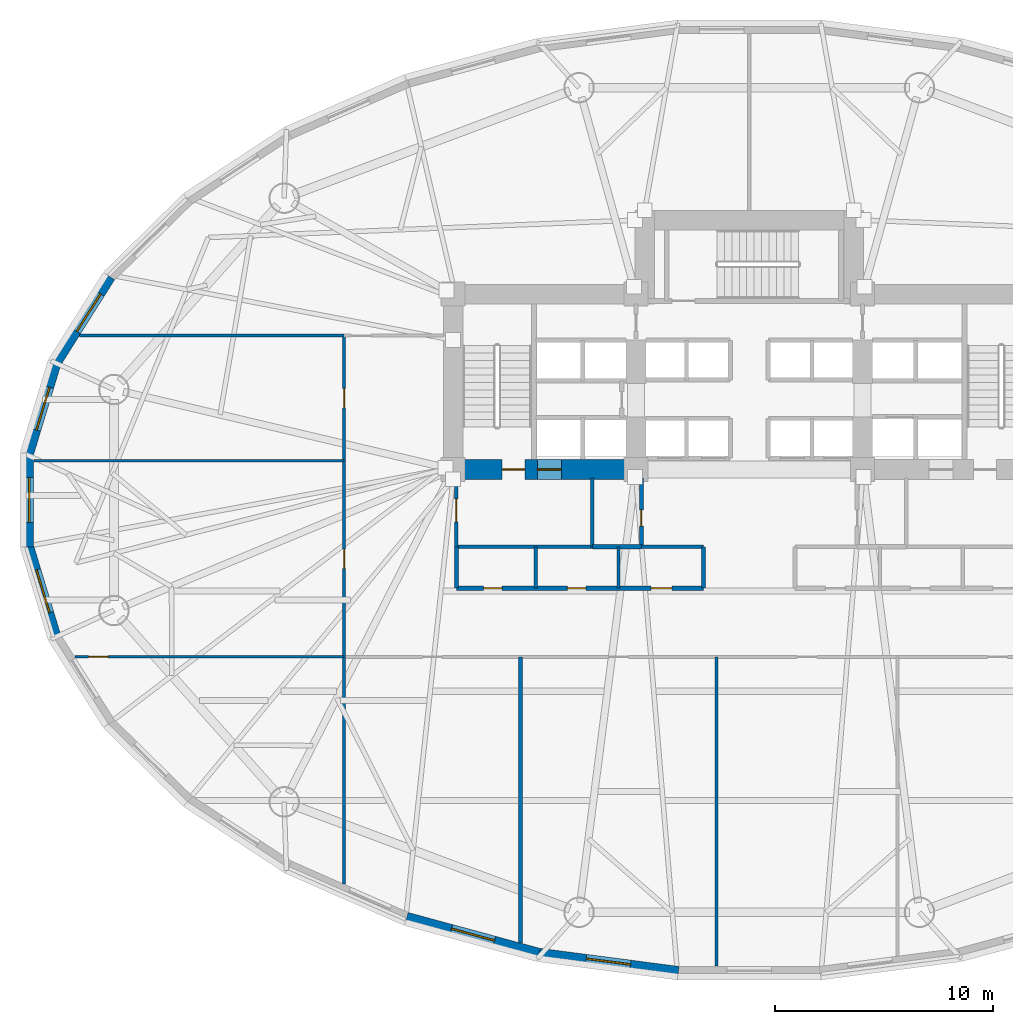
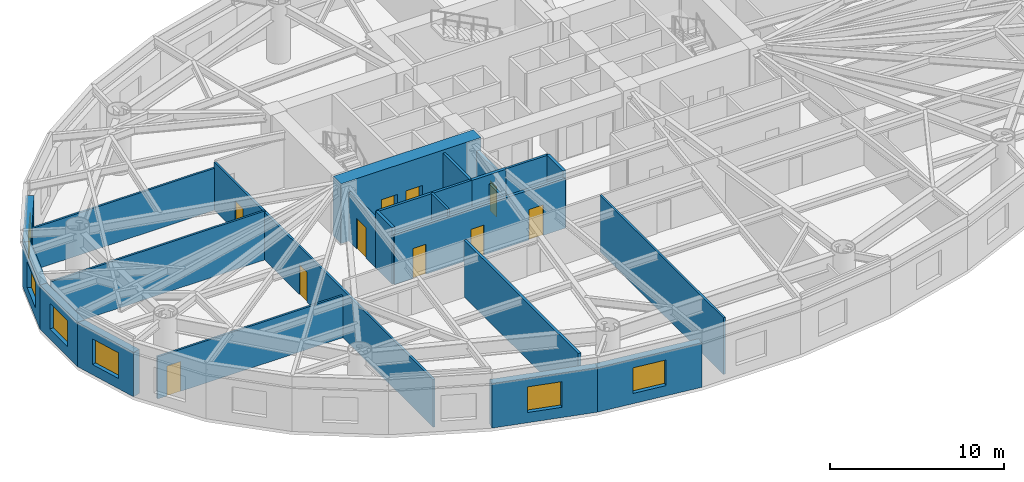
# One storey, part 5 of 14: 24 walls, 10 doors, 6 windows, 16 openings.
"""IFC4 building model written with IfcOpenShell, lengths in metres."""

from ifc_helpers import new_model, si_unit, direction, frame, frame_2d, origin, place, context, subcontext, project, spatial, rectangle, extrude, material, layer, layer_set, type_object, element, fill, save


model = new_model("IFC4")

# Units and contexts
model_context = context("Model", 3, precision=1e-05, world=origin(), true_north=direction((0.0, 1.0)))
body_context = subcontext(model_context, "Body", "Model", "MODEL_VIEW")
ifc_project = project(units=[si_unit("LENGTHUNIT", "METRE"), si_unit("AREAUNIT", "SQUARE_METRE"), si_unit("VOLUMEUNIT", "CUBIC_METRE"), si_unit("PLANEANGLEUNIT", "RADIAN"), si_unit("MASSUNIT", "GRAM", prefix="KILO")], contexts=[model_context])

# Site, building, storey
site_placement = place(None, origin())
site = spatial("IfcSite", under=ifc_project, at=site_placement, CompositionType="ELEMENT")
building_placement = place(site_placement, origin())
building = spatial("IfcBuilding", under=site, at=building_placement, Name="Keldmark Tower", CompositionType="ELEMENT")
storey_placement = place(building_placement, frame((0.0, 0.0, 18.60009765625)))
storey = spatial("IfcBuildingStorey", under=building, at=storey_placement, Name="L04", CompositionType="ELEMENT", Elevation=18.60009765625)

# Wall, openings, doors
ifc_material_1 = material(Name="Acoustic Double-Layer Gypsum Corridor Partition", Category="gypsum")
ifc_layer_1 = layer(ifc_material_1, 0.139892578125)
ifc_layer_set_1 = layer_set([ifc_layer_1], Name="Acoustic Double-Layer Gypsum Corridor Partition")
wall_type_1 = type_object("IfcWallType", Name="Acoustic Corridor Partition 140 mm", PredefinedType="PARTITIONING", material=ifc_layer_set_1)
wall_1_placement = place(storey_placement, frame((-18.60009765625, -17.63720703125, 0.0), z_axis=(0.0, 0.0, 1.0), x_axis=(0.0, 1.0, 0.0)))
wall_1 = element("IfcWall", 1, at=wall_1_placement, inside=storey, type_object=wall_type_1, Name="L04 Acoustic Corridor Partition 140 mm COR-W", PredefinedType="PARTITIONING", context=body_context, shape_type="SweptSolid", body=[
    extrude(rectangle(XDim=25.187255859375, YDim=0.139892578125, at=frame_2d((12.59375, 0.0))), origin(), (0.0, 0.0, 1.0), 3.347900390625),
])
opening_1_placement = place(wall_1_placement, frame((14.4873046875, 0.0, 0.0)))
opening_1 = element("IfcOpeningElement", 2, at=opening_1_placement, cuts=wall_1, Name="Opening D-IN090", PredefinedType="OPENING", context=body_context, shape_type="SweptSolid", body=[
    extrude(rectangle(XDim=0.89990234375, YDim=2.10009765625, at=frame_2d((0.449951171875, 1.050048828125))), frame((0.0, 0.079833984375, 0.0), z_axis=(0.0, -1.0, 0.0), x_axis=(1.0, 0.0, 0.0)), (0.0, 0.0, 1.0), 0.159912109375),
])
opening_2_placement = place(wall_1_placement, frame((21.8623046875, 0.0, 0.0)))
opening_2 = element("IfcOpeningElement", 3, at=opening_2_placement, cuts=wall_1, Name="Opening D-IN090", PredefinedType="OPENING", context=body_context, shape_type="SweptSolid", body=[
    extrude(rectangle(XDim=0.89990234375, YDim=2.10009765625, at=frame_2d((0.449951171875, 1.050048828125))), frame((0.0, 0.079833984375, 0.0), z_axis=(0.0, -1.0, 0.0), x_axis=(1.0, 0.0, 0.0)), (0.0, 0.0, 1.0), 0.159912109375),
])
ifc_material_2 = material(Name="Stained American White Oak Veneer", Category="wood")
door_type_1 = type_object("IfcDoorType", Name="Interior Door 900x2100", OperationType="NOTDEFINED", PredefinedType="DOOR", material=ifc_material_2)
door_1_placement = place(opening_1_placement, origin())
door_1 = element("IfcDoor", 4, at=door_1_placement, inside=storey, type_object=door_type_1, Name="L04 Interior Door 900x2100 D-WR-1-L04", OperationType="SINGLE_SWING_LEFT", OverallHeight=2.10009765625, OverallWidth=0.89990234375, PredefinedType="DOOR", context=body_context, shape_type="SweptSolid", body=[
    extrude(rectangle(XDim=0.89990234375, YDim=2.10009765625, at=frame_2d((0.449951171875, 1.050048828125))), frame((0.0, 0.02490234375, 0.0), z_axis=(0.0, -1.0, 0.0), x_axis=(1.0, 0.0, 0.0)), (0.0, 0.0, 1.0), 0.050048828125),
])
fill(opening_1, door_1)
door_2_placement = place(opening_2_placement, origin())
door_2 = element("IfcDoor", 5, at=door_2_placement, inside=storey, type_object=door_type_1, Name="L04 Interior Door 900x2100 D-WR-2-L04", OperationType="SINGLE_SWING_RIGHT", OverallHeight=2.10009765625, OverallWidth=0.89990234375, PredefinedType="DOOR", context=body_context, shape_type="SweptSolid", body=[
    extrude(rectangle(XDim=0.89990234375, YDim=2.10009765625, at=frame_2d((0.449951171875, 1.050048828125))), frame((0.0, 0.02490234375, 0.0), z_axis=(0.0, -1.0, 0.0), x_axis=(1.0, 0.0, 0.0)), (0.0, 0.0, 1.0), 0.050048828125),
])
fill(opening_2, door_2)

# Wall
ifc_material_3 = material(Name="STC-58 Insulated Tenant Demising Gypsum Partition", Category="gypsum")
ifc_layer_2 = layer(ifc_material_3, 0.175048828125)
ifc_layer_set_2 = layer_set([ifc_layer_2], Name="STC-58 Insulated Tenant Demising Gypsum Partition")
wall_type_2 = type_object("IfcWallType", Name="Demising Suite Partition 175 mm", PredefinedType="PARTITIONING", material=ifc_layer_set_2)
wall_2_placement = place(storey_placement, frame((-10.5, -20.3359375, 0.0), z_axis=(0.0, 0.0, 1.0), x_axis=(0.0, 1.0, 0.0)))
element("IfcWall", 6, at=wall_2_placement, inside=storey, type_object=wall_type_2, Name="L04 Demising Suite Partition 175 mm S-DIV-1", PredefinedType="PARTITIONING", context=body_context, shape_type="SweptSolid", body=[
    extrude(rectangle(XDim=13.135986328125, YDim=0.175048828125, at=frame_2d((6.56787109375, 0.0))), origin(), (0.0, 0.0, 1.0), 3.97998046875),
])

# Wall, openings, doors
ifc_material_4 = material(Name="Heavy Acoustic Plumbing Chase Gypsum Assembly", Category="gypsum")
ifc_layer_3 = layer(ifc_material_4, 0.18994140625)
ifc_layer_set_3 = layer_set([ifc_layer_3], Name="Heavy Acoustic Plumbing Chase Gypsum Assembly")
wall_type_3 = type_object("IfcWallType", Name="Heavy Wet Wall 190 mm", PredefinedType="PLUMBINGWALL", material=ifc_layer_set_3)
wall_3_placement = place(storey_placement, frame((-13.449951171875, -4.050048828125, 0.0), z_axis=(0.0, 0.0, 1.0), x_axis=(1.0, 0.0, 0.0)))
wall_3 = element("IfcWall", 7, at=wall_3_placement, inside=storey, type_object=wall_type_3, Name="L04 Heavy Wet Wall 190 mm SPK-W-S", PredefinedType="PLUMBINGWALL", context=body_context, shape_type="SweptSolid", body=[
    extrude(rectangle(XDim=11.349853515625, YDim=0.18994140625, at=frame_2d((5.6748046875, 0.0))), origin(), (0.0, 0.0, 1.0), 3.5068359375),
])
opening_3_placement = place(wall_3_placement, frame((1.25, 0.0, 0.0)))
opening_3 = element("IfcOpeningElement", 8, at=opening_3_placement, cuts=wall_3, Name="Opening D-WC085", PredefinedType="OPENING", context=body_context, shape_type="SweptSolid", body=[
    extrude(rectangle(XDim=0.85009765625, YDim=2.10009765625, at=frame_2d((0.425048828125, 1.050048828125))), frame((0.0, 0.10498046875, 0.0), z_axis=(0.0, -1.0, 0.0), x_axis=(1.0, 0.0, 0.0)), (0.0, 0.0, 1.0), 0.2099609375),
])
opening_4_placement = place(wall_3_placement, frame((5.10009765625, 0.0, 0.0)))
opening_4 = element("IfcOpeningElement", 9, at=opening_4_placement, cuts=wall_3, Name="Opening D-WC085", PredefinedType="OPENING", context=body_context, shape_type="SweptSolid", body=[
    extrude(rectangle(XDim=0.85009765625, YDim=2.10009765625, at=frame_2d((0.425048828125, 1.050048828125))), frame((0.0, 0.10498046875, 0.0), z_axis=(0.0, -1.0, 0.0), x_axis=(1.0, 0.0, 0.0)), (0.0, 0.0, 1.0), 0.2099609375),
])
opening_5_placement = place(wall_3_placement, frame((8.949951171875, 0.0, 0.0)))
opening_5 = element("IfcOpeningElement", 10, at=opening_5_placement, cuts=wall_3, Name="Opening D-AWC95", PredefinedType="OPENING", context=body_context, shape_type="SweptSolid", body=[
    extrude(rectangle(XDim=0.949951171875, YDim=2.14990234375, at=frame_2d((0.47509765625, 1.074951171875))), frame((0.0, 0.10498046875, 0.0), z_axis=(0.0, -1.0, 0.0), x_axis=(1.0, 0.0, 0.0)), (0.0, 0.0, 1.0), 0.2099609375),
])
ifc_material_5 = material(Name="Painted Solid-Core Architectural Wood", Category="wood")
door_type_2 = type_object("IfcDoorType", Name="Accessible WC Door 950x2150", OperationType="NOTDEFINED", PredefinedType="DOOR", material=ifc_material_5)
door_3_placement = place(opening_5_placement, origin())
door_3 = element("IfcDoor", 11, at=door_3_placement, inside=storey, type_object=door_type_2, Name="L04 Accessible WC Door 950x2150 D-SPKW3-L04", OperationType="SINGLE_SWING_LEFT", OverallHeight=2.14990234375, OverallWidth=0.949951171875, PredefinedType="DOOR", context=body_context, shape_type="SweptSolid", body=[
    extrude(rectangle(XDim=0.949951171875, YDim=2.14990234375, at=frame_2d((0.47509765625, 1.074951171875))), frame((0.0, 0.02490234375, 0.0), z_axis=(0.0, -1.0, 0.0), x_axis=(1.0, 0.0, 0.0)), (0.0, 0.0, 1.0), 0.050048828125),
])
fill(opening_5, door_3)
ifc_material_6 = material(Name="Moisture-Sealed Painted Wood", Category="wood")
door_type_3 = type_object("IfcDoorType", Name="WC Door 850x2100", OperationType="NOTDEFINED", PredefinedType="DOOR", material=ifc_material_6)
door_4_placement = place(opening_3_placement, origin())
door_4 = element("IfcDoor", 12, at=door_4_placement, inside=storey, type_object=door_type_3, Name="L04 WC Door 850x2100 D-SPKW1-L04", OperationType="SINGLE_SWING_LEFT", OverallHeight=2.10009765625, OverallWidth=0.85009765625, PredefinedType="DOOR", context=body_context, shape_type="SweptSolid", body=[
    extrude(rectangle(XDim=0.85009765625, YDim=2.10009765625, at=frame_2d((0.425048828125, 1.050048828125))), frame((0.0, 0.02490234375, 0.0), z_axis=(0.0, -1.0, 0.0), x_axis=(1.0, 0.0, 0.0)), (0.0, 0.0, 1.0), 0.050048828125),
])
fill(opening_3, door_4)
door_5_placement = place(opening_4_placement, origin())
door_5 = element("IfcDoor", 13, at=door_5_placement, inside=storey, type_object=door_type_3, Name="L04 WC Door 850x2100 D-SPKW2-L04", OperationType="SINGLE_SWING_RIGHT", OverallHeight=2.10009765625, OverallWidth=0.85009765625, PredefinedType="DOOR", context=body_context, shape_type="SweptSolid", body=[
    extrude(rectangle(XDim=0.85009765625, YDim=2.10009765625, at=frame_2d((0.425048828125, 1.050048828125))), frame((0.0, 0.02490234375, 0.0), z_axis=(0.0, -1.0, 0.0), x_axis=(1.0, 0.0, 0.0)), (0.0, 0.0, 1.0), 0.050048828125),
])
fill(opening_4, door_5)

# Walls
for number, where, z_axis, x_axis, name in (
    (14, (-13.449951171875, -4.050048828125, 0.0), (0.0, 0.0, 1.0), (0.0, 1.0, 0.0), "L04 Heavy Wet Wall 190 mm SPK-W-W"),
    (15, (-2.10009765625, -4.050048828125, 0.0), (0.0, 0.0, 1.0), (0.0, 1.0, 0.0), "L04 Heavy Wet Wall 190 mm SPK-W-E"),
):
    element("IfcWall", number, at=place(storey_placement, frame(where, z_axis=z_axis, x_axis=x_axis)), inside=storey, type_object=wall_type_3, Name=name, PredefinedType="PLUMBINGWALL", context=body_context, shape_type="SweptSolid", body=[
        extrude(rectangle(XDim=1.900146484375, YDim=0.18994140625, at=frame_2d((0.9501953125, 0.0))), origin(), (0.0, 0.0, 1.0), 3.97998046875),
    ])
ifc_material_7 = material(Name="Acoustic Gypsum Board Interior Partition", Category="gypsum")
ifc_layer_4 = layer(ifc_material_7, 0.1298828125)
ifc_layer_set_4 = layer_set([ifc_layer_4], Name="Acoustic Gypsum Board Interior Partition")
wall_type_4 = type_object("IfcWallType", Name="Interior Partition 130 mm", PredefinedType="PARTITIONING", material=ifc_layer_set_4)
wall_4_placement = place(storey_placement, frame((-1.5, -21.406005859375, 0.0), z_axis=(0.0, 0.0, 1.0), x_axis=(0.0, 1.0, 0.0)))
element("IfcWall", 16, at=wall_4_placement, inside=storey, type_object=wall_type_4, Name="L04 Interior Partition 130 mm S-DIV-2", PredefinedType="PARTITIONING", context=body_context, shape_type="SweptSolid", body=[
    extrude(rectangle(XDim=14.2060546875, YDim=0.1298828125, at=frame_2d((7.10302734375, 0.0))), origin(), (0.0, 0.0, 1.0), 3.97998046875),
])
wall_5_placement = place(storey_placement, frame((-30.74658203125, 7.550048828125, 0.0), z_axis=(0.0, 0.0, 1.0), x_axis=(1.0, 0.0, 0.0)))
element("IfcWall", 17, at=wall_5_placement, inside=storey, type_object=wall_type_4, Name="L04 Interior Partition 130 mm W-CAP-N", PredefinedType="PARTITIONING", context=body_context, shape_type="SweptSolid", body=[
    extrude(rectangle(XDim=12.146484375, YDim=0.1298828125, at=frame_2d((6.0732421875, 0.0))), origin(), (0.0, 0.0, 1.0), 2.9580078125),
])

# Wall, opening, door
wall_6_placement = place(storey_placement, frame((-30.96728515625, -7.199951171875, 0.0), z_axis=(0.0, 0.0, 1.0), x_axis=(1.0, 0.0, 0.0)))
wall_6 = element("IfcWall", 18, at=wall_6_placement, inside=storey, type_object=wall_type_4, Name="L04 Interior Partition 130 mm W-CAP-S", PredefinedType="PARTITIONING", context=body_context, shape_type="SweptSolid", body=[
    extrude(rectangle(XDim=12.3671875, YDim=0.1298828125, at=frame_2d((6.18359375, 0.0))), origin(), (0.0, 0.0, 1.0), 2.9580078125),
])
opening_6_placement = place(wall_6_placement, frame((0.6298828125, 0.0, 0.0)))
opening_6 = element("IfcOpeningElement", 19, at=opening_6_placement, cuts=wall_6, Name="Opening D-IN090", PredefinedType="OPENING", context=body_context, shape_type="SweptSolid", body=[
    extrude(rectangle(XDim=0.89990234375, YDim=2.10009765625, at=frame_2d((0.449951171875, 1.050048828125))), frame((0.0, 0.074951171875, 0.0), z_axis=(0.0, -1.0, 0.0), x_axis=(1.0, 0.0, 0.0)), (0.0, 0.0, 1.0), 0.14990234375),
])
door_6_placement = place(opening_6_placement, origin())
door_6 = element("IfcDoor", 20, at=door_6_placement, inside=storey, type_object=door_type_1, Name="L04 Interior Door 900x2100 D-WRSW-L04", OperationType="SINGLE_SWING_LEFT", OverallHeight=2.10009765625, OverallWidth=0.89990234375, PredefinedType="DOOR", context=body_context, shape_type="SweptSolid", body=[
    extrude(rectangle(XDim=0.89990234375, YDim=2.10009765625, at=frame_2d((0.449951171875, 1.050048828125))), frame((0.0, 0.02490234375, 0.0), z_axis=(0.0, -1.0, 0.0), x_axis=(1.0, 0.0, 0.0)), (0.0, 0.0, 1.0), 0.050048828125),
])
fill(opening_6, door_6)

# Wall
wall_7_placement = place(storey_placement, frame((-32.8505859375, 1.800048828125, 0.0), z_axis=(0.0, 0.0, 1.0), x_axis=(1.0, 0.0, 0.0)))
element("IfcWall", 21, at=wall_7_placement, inside=storey, type_object=wall_type_4, Name="L04 Interior Partition 130 mm W-DIV-1", PredefinedType="PARTITIONING", context=body_context, shape_type="SweptSolid", body=[
    extrude(rectangle(XDim=14.25048828125, YDim=0.1298828125, at=frame_2d((7.125244140625, 0.0))), origin(), (0.0, 0.0, 1.0), 3.432861328125),
])

# Wall, openings, doors
ifc_material_8 = material(Name="Concrete C70/85", Category="concrete")
ifc_layer_5 = layer(ifc_material_8, 0.89990234375)
ifc_layer_set_5 = layer_set([ifc_layer_5], Name="Concrete C70/85")
wall_type_5 = type_object("IfcWallType", Name="Lower Core Shear Wall 900 mm", PredefinedType="SHEAR", material=ifc_layer_set_5)
wall_8_placement = place(storey_placement, frame((-4.75, 1.39990234375, 0.0), z_axis=(0.0, 0.0, 1.0), x_axis=(-1.0, 0.0, 0.0)))
wall_8 = element("IfcWall", 22, at=wall_8_placement, inside=storey, type_object=wall_type_5, Name="L04 West Core South Shear Wall", PredefinedType="SHEAR", context=body_context, shape_type="SweptSolid", body=[
    extrude(rectangle(XDim=9.300048828125, YDim=0.89990234375, at=frame_2d((4.64990234375, 0.0))), origin(), (0.0, 0.0, 1.0), 4.199951171875),
])
opening_7_placement = place(wall_8_placement, frame((5.550048828125, 0.0, 0.0)))
opening_7 = element("IfcOpeningElement", 23, at=opening_7_placement, cuts=wall_8, Name="Opening D-ST105", PredefinedType="OPENING", context=body_context, shape_type="SweptSolid", body=[
    extrude(rectangle(XDim=1.050048828125, YDim=2.14990234375, at=frame_2d((0.52490234375, 1.074951171875))), frame((0.0, 0.4599609375, 0.0), z_axis=(0.0, -1.0, 0.0), x_axis=(1.0, 0.0, 0.0)), (0.0, 0.0, 1.0), 0.919921875),
])
opening_8_placement = place(wall_8_placement, frame((3.8798828125, 0.0, 0.0)))
opening_8 = element("IfcOpeningElement", 24, at=opening_8_placement, cuts=wall_8, Name="Opening LD-110", PredefinedType="OPENING", context=body_context, shape_type="SweptSolid", body=[
    extrude(rectangle(XDim=1.10009765625, YDim=2.199951171875, at=frame_2d((0.550048828125, 1.10009765625))), frame((0.0, 0.4599609375, 0.0), z_axis=(0.0, -1.0, 0.0), x_axis=(1.0, 0.0, 0.0)), (0.0, 0.0, 1.0), 0.919921875),
])
ifc_material_9 = material(Name="Brushed Bronze Hoistway Sliding Leaf", Category="metal")
door_type_4 = type_object("IfcDoorType", Name="Lift Landing Sliding Door 1100x2200", OperationType="SLIDING_TO_LEFT", PredefinedType="DOOR", material=ifc_material_9)
door_7_placement = place(opening_8_placement, origin())
door_7 = element("IfcDoor", 25, at=door_7_placement, inside=storey, type_object=door_type_4, Name="L04 Lift Landing Sliding Door 1100x2200 LD-EL-FS1-L04", OperationType="SLIDING_TO_LEFT", OverallHeight=2.199951171875, OverallWidth=1.10009765625, PredefinedType="DOOR", context=body_context, shape_type="SweptSolid", body=[
    extrude(rectangle(XDim=1.10009765625, YDim=2.199951171875, at=frame_2d((0.550048828125, 1.10009765625))), frame((0.0, 0.02490234375, 0.0), z_axis=(0.0, -1.0, 0.0), x_axis=(1.0, 0.0, 0.0)), (0.0, 0.0, 1.0), 0.050048828125),
])
fill(opening_8, door_7)
ifc_material_10 = material(Name="Hollow Metal Fire-Rated Door Assembly", Category="metal")
door_type_5 = type_object("IfcDoorType", Name="Stair Fire Door 1050x2150", OperationType="NOTDEFINED", PredefinedType="DOOR", material=ifc_material_10)
door_8_placement = place(opening_7_placement, origin())
door_8 = element("IfcDoor", 26, at=door_8_placement, inside=storey, type_object=door_type_5, Name="L04 Stair Fire Door 1050x2150 D-ST1-L04", OperationType="SINGLE_SWING_RIGHT", OverallHeight=2.14990234375, OverallWidth=1.050048828125, PredefinedType="DOOR", context=body_context, shape_type="SweptSolid", body=[
    extrude(rectangle(XDim=1.050048828125, YDim=2.14990234375, at=frame_2d((0.52490234375, 1.074951171875))), frame((0.0, 0.02490234375, 0.0), z_axis=(0.0, -1.0, 0.0), x_axis=(1.0, 0.0, 0.0)), (0.0, 0.0, 1.0), 0.050048828125),
])
fill(opening_7, door_8)

# Wall, opening, window
ifc_material_11 = material(Name="Ironspot Manganese Brick and Kasota Buff Limestone Cavity Assembly", Category="masonry")
ifc_layer_6 = layer(ifc_material_11, 0.47998046875)
ifc_layer_set_6 = layer_set([ifc_layer_6], Name="Ironspot Manganese Brick and Kasota Buff Limestone Cavity Assembly")
wall_type_6 = type_object("IfcWallType", Name="Podium Brick and Limestone Cavity Wall 480 mm", PredefinedType="STANDARD", material=ifc_layer_set_6)
wall_9_placement = place(storey_placement, frame((-31.8544921875, 6.25830078125, 0.0), z_axis=(0.0, 0.0, 1.0), x_axis=(0.53349762721, 0.845801561693, 0.0)))
wall_9 = element("IfcWall", 27, at=wall_9_placement, inside=storey, type_object=wall_type_6, Name="L04 Exterior Brick and Spandrel Wall 14", PredefinedType="STANDARD", context=body_context, shape_type="SweptSolid", body=[
    extrude(rectangle(XDim=4.710693359375, YDim=0.47998046875, at=frame_2d((2.35546875, 0.0))), origin(), (0.0, 0.0, 1.0), 3.10888671875),
])
opening_9_placement = place(wall_9_placement, frame((1.772705078125, 0.0, 0.719970703125)))
opening_9 = element("IfcOpeningElement", 28, at=opening_9_placement, cuts=wall_9, Name="Opening W-07", PredefinedType="OPENING", context=body_context, shape_type="SweptSolid", body=[
    extrude(rectangle(XDim=2.050048828125, YDim=1.800048828125, at=frame_2d((1.02490234375, 0.89990234375))), frame((0.0, 0.25, 0.0), z_axis=(0.0, -1.0, 0.0), x_axis=(1.0, 0.0, 0.0)), (0.0, 0.0, 1.0), 0.5),
])
ifc_material_12 = material(Name="Thermally Broken Anodized Aluminum and Triple Low-E Argon Glazing", Category="aluminium")
window_type = type_object("IfcWindowType", Name="Podium Mezzanine Punched Window 2050x1800", PartitioningType="DOUBLE_PANEL_VERTICAL", PredefinedType="WINDOW", material=ifc_material_12)
window_1_placement = place(opening_9_placement, origin())
window_1 = element("IfcWindow", 29, at=window_1_placement, inside=storey, type_object=window_type, Name="L04 Deep-Set Window 14", OverallHeight=1.800048828125, OverallWidth=2.050048828125, PartitioningType="SINGLE_PANEL", PredefinedType="WINDOW", context=body_context, shape_type="SweptSolid", body=[
    extrude(rectangle(XDim=2.050048828125, YDim=1.800048828125, at=frame_2d((1.02490234375, 0.89990234375))), frame((0.0, -0.010009765625, 0.0), z_axis=(0.0, -1.0, 0.0), x_axis=(1.0, 0.0, 0.0)), (0.0, 0.0, 1.0), 0.06005859375),
])
fill(opening_9, window_1)

wall_10_placement = place(storey_placement, frame((-33.10888671875, 2.0869140625, 0.0), z_axis=(0.0, 0.0, 1.0), x_axis=(0.289855603468, 0.957070388811, 0.0)))
wall_10 = element("IfcWall", 30, at=wall_10_placement, inside=storey, type_object=wall_type_6, Name="L04 Exterior Brick and Spandrel Wall 15", PredefinedType="STANDARD", context=body_context, shape_type="SweptSolid", body=[
    extrude(rectangle(XDim=4.41943359375, YDim=0.47998046875, at=frame_2d((2.209716796875, 0.0))), origin(), (0.0, 0.0, 1.0), 3.10888671875),
])
opening_10_placement = place(wall_10_placement, frame((1.184814453125, 0.0, 0.719970703125)))
opening_10 = element("IfcOpeningElement", 31, at=opening_10_placement, cuts=wall_10, Name="Opening W-07", PredefinedType="OPENING", context=body_context, shape_type="SweptSolid", body=[
    extrude(rectangle(XDim=2.050048828125, YDim=1.800048828125, at=frame_2d((1.02490234375, 0.89990234375))), frame((0.0, 0.25, 0.0), z_axis=(0.0, -1.0, 0.0), x_axis=(1.0, 0.0, 0.0)), (0.0, 0.0, 1.0), 0.5),
])
window_2_placement = place(opening_10_placement, origin())
window_2 = element("IfcWindow", 32, at=window_2_placement, inside=storey, type_object=window_type, Name="L04 Deep-Set Window 15", OverallHeight=1.800048828125, OverallWidth=2.050048828125, PartitioningType="SINGLE_PANEL", PredefinedType="WINDOW", context=body_context, shape_type="SweptSolid", body=[
    extrude(rectangle(XDim=2.050048828125, YDim=1.800048828125, at=frame_2d((1.02490234375, 0.89990234375))), frame((0.0, -0.010009765625, 0.0), z_axis=(0.0, -1.0, 0.0), x_axis=(1.0, 0.0, 0.0)), (0.0, 0.0, 1.0), 0.06005859375),
])
fill(opening_10, window_2)

wall_11_placement = place(storey_placement, frame((-33.0986328125, -2.156494140625, 0.0), z_axis=(0.0, 0.0, 1.0), x_axis=(0.0, 1.0, 0.0)))
wall_11 = element("IfcWall", 33, at=wall_11_placement, inside=storey, type_object=wall_type_6, Name="L04 Exterior Brick and Spandrel Wall 16", PredefinedType="STANDARD", context=body_context, shape_type="SweptSolid", body=[
    extrude(rectangle(XDim=4.31298828125, YDim=0.47998046875, at=frame_2d((2.156494140625, 0.0))), origin(), (0.0, 0.0, 1.0), 3.10888671875),
])
opening_11_placement = place(wall_11_placement, frame((1.13134765625, 0.0, 0.719970703125)))
opening_11 = element("IfcOpeningElement", 34, at=opening_11_placement, cuts=wall_11, Name="Opening W-07", PredefinedType="OPENING", context=body_context, shape_type="SweptSolid", body=[
    extrude(rectangle(XDim=2.050048828125, YDim=1.800048828125, at=frame_2d((1.02490234375, 0.89990234375))), frame((0.0, 0.25, 0.0), z_axis=(0.0, -1.0, 0.0), x_axis=(1.0, 0.0, 0.0)), (0.0, 0.0, 1.0), 0.5),
])
window_3_placement = place(opening_11_placement, origin())
window_3 = element("IfcWindow", 35, at=window_3_placement, inside=storey, type_object=window_type, Name="L04 Deep-Set Window 16", OverallHeight=1.800048828125, OverallWidth=2.050048828125, PartitioningType="SINGLE_PANEL", PredefinedType="WINDOW", context=body_context, shape_type="SweptSolid", body=[
    extrude(rectangle(XDim=2.050048828125, YDim=1.800048828125, at=frame_2d((1.02490234375, 0.89990234375))), frame((0.0, -0.010009765625, 0.0), z_axis=(0.0, -1.0, 0.0), x_axis=(1.0, 0.0, 0.0)), (0.0, 0.0, 1.0), 0.06005859375),
])
fill(opening_11, window_3)

wall_12_placement = place(storey_placement, frame((-31.827880859375, -6.316650390625, 0.0), z_axis=(0.0, 0.0, 1.0), x_axis=(-0.289855603468, 0.957070388811, 0.0)))
wall_12 = element("IfcWall", 36, at=wall_12_placement, inside=storey, type_object=wall_type_6, Name="L04 Exterior Brick and Spandrel Wall 17", PredefinedType="STANDARD", context=body_context, shape_type="SweptSolid", body=[
    extrude(rectangle(XDim=4.41943359375, YDim=0.47998046875, at=frame_2d((2.209716796875, 0.0))), origin(), (0.0, 0.0, 1.0), 3.10888671875),
])
opening_12_placement = place(wall_12_placement, frame((1.184814453125, 0.0, 0.719970703125)))
opening_12 = element("IfcOpeningElement", 37, at=opening_12_placement, cuts=wall_12, Name="Opening W-07", PredefinedType="OPENING", context=body_context, shape_type="SweptSolid", body=[
    extrude(rectangle(XDim=2.050048828125, YDim=1.800048828125, at=frame_2d((1.02490234375, 0.89990234375))), frame((0.0, 0.25, 0.0), z_axis=(0.0, -1.0, 0.0), x_axis=(1.0, 0.0, 0.0)), (0.0, 0.0, 1.0), 0.5),
])
window_4_placement = place(opening_12_placement, origin())
window_4 = element("IfcWindow", 38, at=window_4_placement, inside=storey, type_object=window_type, Name="L04 Deep-Set Window 17", OverallHeight=1.800048828125, OverallWidth=2.050048828125, PartitioningType="SINGLE_PANEL", PredefinedType="WINDOW", context=body_context, shape_type="SweptSolid", body=[
    extrude(rectangle(XDim=2.050048828125, YDim=1.800048828125, at=frame_2d((1.02490234375, 0.89990234375))), frame((0.0, -0.010009765625, 0.0), z_axis=(0.0, -1.0, 0.0), x_axis=(1.0, 0.0, 0.0)), (0.0, 0.0, 1.0), 0.06005859375),
])
fill(opening_12, window_4)

wall_13_placement = place(storey_placement, frame((-9.66162109375, -20.821044921875, 0.0), z_axis=(0.0, 0.0, 1.0), x_axis=(-0.964936550718, 0.262483243445, 0.0)))
wall_13 = element("IfcWall", 39, at=wall_13_placement, inside=storey, type_object=wall_type_6, Name="L04 Exterior Brick and Spandrel Wall 22", PredefinedType="STANDARD", context=body_context, shape_type="SweptSolid", body=[
    extrude(rectangle(XDim=6.28759765625, YDim=0.47998046875, at=frame_2d((3.143798828125, 0.0))), origin(), (0.0, 0.0, 1.0), 3.10888671875),
])
opening_13_placement = place(wall_13_placement, frame((2.118896484375, 0.0, 0.719970703125)))
opening_13 = element("IfcOpeningElement", 40, at=opening_13_placement, cuts=wall_13, Name="Opening W-07", PredefinedType="OPENING", context=body_context, shape_type="SweptSolid", body=[
    extrude(rectangle(XDim=2.050048828125, YDim=1.800048828125, at=frame_2d((1.02490234375, 0.89990234375))), frame((0.0, 0.25, 0.0), z_axis=(0.0, -1.0, 0.0), x_axis=(1.0, 0.0, 0.0)), (0.0, 0.0, 1.0), 0.5),
])
window_5_placement = place(opening_13_placement, origin())
window_5 = element("IfcWindow", 41, at=window_5_placement, inside=storey, type_object=window_type, Name="L04 Deep-Set Window 22", OverallHeight=1.800048828125, OverallWidth=2.050048828125, PartitioningType="SINGLE_PANEL", PredefinedType="WINDOW", context=body_context, shape_type="SweptSolid", body=[
    extrude(rectangle(XDim=2.050048828125, YDim=1.800048828125, at=frame_2d((1.02490234375, 0.89990234375))), frame((0.0, -0.010009765625, 0.0), z_axis=(0.0, -1.0, 0.0), x_axis=(1.0, 0.0, 0.0)), (0.0, 0.0, 1.0), 0.06005859375),
])
fill(opening_13, window_5)

wall_14_placement = place(storey_placement, frame((-3.25244140625, -21.656005859375, 0.0), z_axis=(0.0, 0.0, 1.0), x_axis=(-0.991576921472, 0.129519144545, 0.0)))
wall_14 = element("IfcWall", 42, at=wall_14_placement, inside=storey, type_object=wall_type_6, Name="L04 Exterior Brick and Spandrel Wall 23", PredefinedType="STANDARD", context=body_context, shape_type="SweptSolid", body=[
    extrude(rectangle(XDim=6.49560546875, YDim=0.47998046875, at=frame_2d((3.247802734375, 0.0))), origin(), (0.0, 0.0, 1.0), 3.10888671875),
])
opening_14_placement = place(wall_14_placement, frame((2.222900390625, 0.0, 0.719970703125)))
opening_14 = element("IfcOpeningElement", 43, at=opening_14_placement, cuts=wall_14, Name="Opening W-07", PredefinedType="OPENING", context=body_context, shape_type="SweptSolid", body=[
    extrude(rectangle(XDim=2.050048828125, YDim=1.800048828125, at=frame_2d((1.02490234375, 0.89990234375))), frame((0.0, 0.25, 0.0), z_axis=(0.0, -1.0, 0.0), x_axis=(1.0, 0.0, 0.0)), (0.0, 0.0, 1.0), 0.5),
])
window_6_placement = place(opening_14_placement, origin())
window_6 = element("IfcWindow", 44, at=window_6_placement, inside=storey, type_object=window_type, Name="L04 Deep-Set Window 23", OverallHeight=1.800048828125, OverallWidth=2.050048828125, PartitioningType="SINGLE_PANEL", PredefinedType="WINDOW", context=body_context, shape_type="SweptSolid", body=[
    extrude(rectangle(XDim=2.050048828125, YDim=1.800048828125, at=frame_2d((1.02490234375, 0.89990234375))), frame((0.0, -0.010009765625, 0.0), z_axis=(0.0, -1.0, 0.0), x_axis=(1.0, 0.0, 0.0)), (0.0, 0.0, 1.0), 0.06005859375),
])
fill(opening_14, window_6)

# Wall
ifc_material_13 = material(Name="Type X Fire-Rated Gypsum Partition Assembly", Category="gypsum")
ifc_layer_7 = layer(ifc_material_13, 0.1650390625)
ifc_layer_set_7 = layer_set([ifc_layer_7], Name="Type X Fire-Rated Gypsum Partition Assembly")
wall_type_7 = type_object("IfcWallType", Name="Rated Partition 165 mm", PredefinedType="PARTITIONING", material=ifc_layer_set_7)
wall_15_placement = place(storey_placement, frame((-13.449951171875, -2.14990234375, 0.0), z_axis=(0.0, 0.0, 1.0), x_axis=(1.0, 0.0, 0.0)))
element("IfcWall", 45, at=wall_15_placement, inside=storey, type_object=wall_type_7, Name="L04 Rated Partition 165 mm FSAE-W-S", PredefinedType="PARTITIONING", context=body_context, shape_type="SweptSolid", body=[
    extrude(rectangle(XDim=6.25, YDim=0.1650390625, at=frame_2d((3.125, 0.0))), origin(), (0.0, 0.0, 1.0), 3.97998046875),
])

# Wall, opening, door
wall_16_placement = place(storey_placement, frame((-13.449951171875, -2.14990234375, 0.0), z_axis=(0.0, 0.0, 1.0), x_axis=(0.0, 1.0, 0.0)))
wall_16 = element("IfcWall", 46, at=wall_16_placement, inside=storey, type_object=wall_type_7, Name="L04 Rated Partition 165 mm FSAE-W-W", PredefinedType="PARTITIONING", context=body_context, shape_type="SweptSolid", body=[
    extrude(rectangle(XDim=3.14990234375, YDim=0.1650390625, at=frame_2d((1.574951171875, 0.0))), origin(), (0.0, 0.0, 1.0), 3.432861328125),
])
opening_15_placement = place(wall_16_placement, frame((1.14990234375, 0.0, 0.0)))
opening_15 = element("IfcOpeningElement", 47, at=opening_15_placement, cuts=wall_16, Name="Opening D-FL105", PredefinedType="OPENING", context=body_context, shape_type="SweptSolid", body=[
    extrude(rectangle(XDim=1.050048828125, YDim=2.14990234375, at=frame_2d((0.52490234375, 1.074951171875))), frame((0.0, 0.092529296875, 0.0), z_axis=(0.0, -1.0, 0.0), x_axis=(1.0, 0.0, 0.0)), (0.0, 0.0, 1.0), 0.18505859375),
])
ifc_material_14 = material(Name="Fire-Rated Mineral-Core Door and Vision Lite", Category="metal")
door_type_6 = type_object("IfcDoorType", Name="Fire Lobby Door 1050x2150", OperationType="NOTDEFINED", PredefinedType="DOOR", material=ifc_material_14)
door_9_placement = place(opening_15_placement, origin())
door_9 = element("IfcDoor", 48, at=door_9_placement, inside=storey, type_object=door_type_6, Name="L04 Fire Lobby Door 1050x2150 D-FSAEW-OUT-L04", OperationType="SINGLE_SWING_LEFT", OverallHeight=2.14990234375, OverallWidth=1.050048828125, PredefinedType="DOOR", context=body_context, shape_type="SweptSolid", body=[
    extrude(rectangle(XDim=1.050048828125, YDim=2.14990234375, at=frame_2d((0.52490234375, 1.074951171875))), frame((0.0, 0.02490234375, 0.0), z_axis=(0.0, -1.0, 0.0), x_axis=(1.0, 0.0, 0.0)), (0.0, 0.0, 1.0), 0.050048828125),
])
fill(opening_15, door_9)

# Walls
wall_17_placement = place(storey_placement, frame((-7.199951171875, -2.14990234375, 0.0), z_axis=(0.0, 0.0, 1.0), x_axis=(0.0, 1.0, 0.0)))
element("IfcWall", 49, at=wall_17_placement, inside=storey, type_object=wall_type_7, Name="L04 Rated Partition 165 mm FSAE-W-E", PredefinedType="PARTITIONING", context=body_context, shape_type="SweptSolid", body=[
    extrude(rectangle(XDim=3.14990234375, YDim=0.1650390625, at=frame_2d((1.574951171875, 0.0))), origin(), (0.0, 0.0, 1.0), 3.97998046875),
])
ifc_material_15 = material(Name="Fire-Resistant Type X Gypsum Shaftliner Coreboard", Category="gypsum")
ifc_layer_8 = layer(ifc_material_15, 0.199951171875)
ifc_layer_set_8 = layer_set([ifc_layer_8], Name="Fire-Resistant Type X Gypsum Shaftliner Coreboard")
wall_type_8 = type_object("IfcWallType", Name="Shaft Wall 200 mm", PredefinedType="SOLIDWALL", material=ifc_layer_set_8)
wall_18_placement = place(storey_placement, frame((-7.199951171875, -2.14990234375, 0.0), z_axis=(0.0, 0.0, 1.0), x_axis=(1.0, 0.0, 0.0)))
element("IfcWall", 50, at=wall_18_placement, inside=storey, type_object=wall_type_8, Name="L04 Shaft Wall 200 mm RIS-SW-S", PredefinedType="SOLIDWALL", context=body_context, shape_type="SweptSolid", body=[
    extrude(rectangle(XDim=2.25, YDim=0.199951171875, at=frame_2d((1.125, 0.0))), origin(), (0.0, 0.0, 1.0), 3.97998046875),
])

# Wall, opening, door
wall_19_placement = place(storey_placement, frame((-4.949951171875, -2.14990234375, 0.0), z_axis=(0.0, 0.0, 1.0), x_axis=(0.0, 1.0, 0.0)))
wall_19 = element("IfcWall", 51, at=wall_19_placement, inside=storey, type_object=wall_type_8, Name="L04 Shaft Wall 200 mm RIS-SW-E", PredefinedType="SOLIDWALL", context=body_context, shape_type="SweptSolid", body=[
    extrude(rectangle(XDim=3.14990234375, YDim=0.199951171875, at=frame_2d((1.574951171875, 0.0))), origin(), (0.0, 0.0, 1.0), 3.347900390625),
])
opening_16_placement = place(wall_19_placement, frame((0.949951171875, 0.0, 0.0)))
opening_16 = element("IfcOpeningElement", 52, at=opening_16_placement, cuts=wall_19, Name="Opening D-RS075", PredefinedType="OPENING", context=body_context, shape_type="SweptSolid", body=[
    extrude(rectangle(XDim=0.75, YDim=2.10009765625, at=frame_2d((0.375, 1.050048828125))), frame((0.0, 0.10986328125, 0.0), z_axis=(0.0, -1.0, 0.0), x_axis=(1.0, 0.0, 0.0)), (0.0, 0.0, 1.0), 0.219970703125),
])
ifc_material_16 = material(Name="Galvanized Fire-Rated Access Leaf", Category="metal")
door_type_7 = type_object("IfcDoorType", Name="Riser Access Door 750x2100", OperationType="NOTDEFINED", PredefinedType="DOOR", material=ifc_material_16)
door_10_placement = place(opening_16_placement, origin())
door_10 = element("IfcDoor", 53, at=door_10_placement, inside=storey, type_object=door_type_7, Name="L04 Riser Access Door 750x2100 D-RISSW-L04", OperationType="SINGLE_SWING_RIGHT", OverallHeight=2.10009765625, OverallWidth=0.75, PredefinedType="DOOR", context=body_context, shape_type="SweptSolid", body=[
    extrude(rectangle(XDim=0.75, YDim=2.10009765625, at=frame_2d((0.375, 1.050048828125))), frame((0.0, 0.02490234375, 0.0), z_axis=(0.0, -1.0, 0.0), x_axis=(1.0, 0.0, 0.0)), (0.0, 0.0, 1.0), 0.050048828125),
])
fill(opening_16, door_10)

# Walls
ifc_material_17 = material(Name="Moisture-Resistant Gypsum Plumbing Partition", Category="gypsum")
ifc_layer_9 = layer(ifc_material_17, 0.14990234375)
ifc_layer_set_9 = layer_set([ifc_layer_9], Name="Moisture-Resistant Gypsum Plumbing Partition")
wall_type_9 = type_object("IfcWallType", Name="Wet Wall 150 mm", PredefinedType="PLUMBINGWALL", material=ifc_layer_set_9)
wall_20_placement = place(storey_placement, frame((-4.949951171875, -2.14990234375, 0.0), z_axis=(0.0, 0.0, 1.0), x_axis=(1.0, 0.0, 0.0)))
element("IfcWall", 54, at=wall_20_placement, inside=storey, type_object=wall_type_9, Name="L04 Wet Wall 150 mm SPK-W-N", PredefinedType="PLUMBINGWALL", context=body_context, shape_type="SweptSolid", body=[
    extrude(rectangle(XDim=2.849853515625, YDim=0.14990234375, at=frame_2d((1.4248046875, 0.0))), origin(), (0.0, 0.0, 1.0), 3.97998046875),
])
wall_21_placement = place(storey_placement, frame((-9.800048828125, -4.050048828125, 0.0), z_axis=(0.0, 0.0, 1.0), x_axis=(0.0, 1.0, 0.0)))
element("IfcWall", 55, at=wall_21_placement, inside=storey, type_object=wall_type_9, Name="L04 Wet Wall 150 mm SPK-W-D1", PredefinedType="PLUMBINGWALL", context=body_context, shape_type="SweptSolid", body=[
    extrude(rectangle(XDim=1.900146484375, YDim=0.14990234375, at=frame_2d((0.9501953125, 0.0))), origin(), (0.0, 0.0, 1.0), 3.97998046875),
])
wall_22_placement = place(storey_placement, frame((-6.0, -4.050048828125, 0.0), z_axis=(0.0, 0.0, 1.0), x_axis=(0.0, 1.0, 0.0)))
element("IfcWall", 56, at=wall_22_placement, inside=storey, type_object=wall_type_9, Name="L04 Wet Wall 150 mm SPK-W-D2", PredefinedType="PLUMBINGWALL", context=body_context, shape_type="SweptSolid", body=[
    extrude(rectangle(XDim=1.900146484375, YDim=0.14990234375, at=frame_2d((0.9501953125, 0.0))), origin(), (0.0, 0.0, 1.0), 3.347900390625),
])

save(model, "model.ifc")
